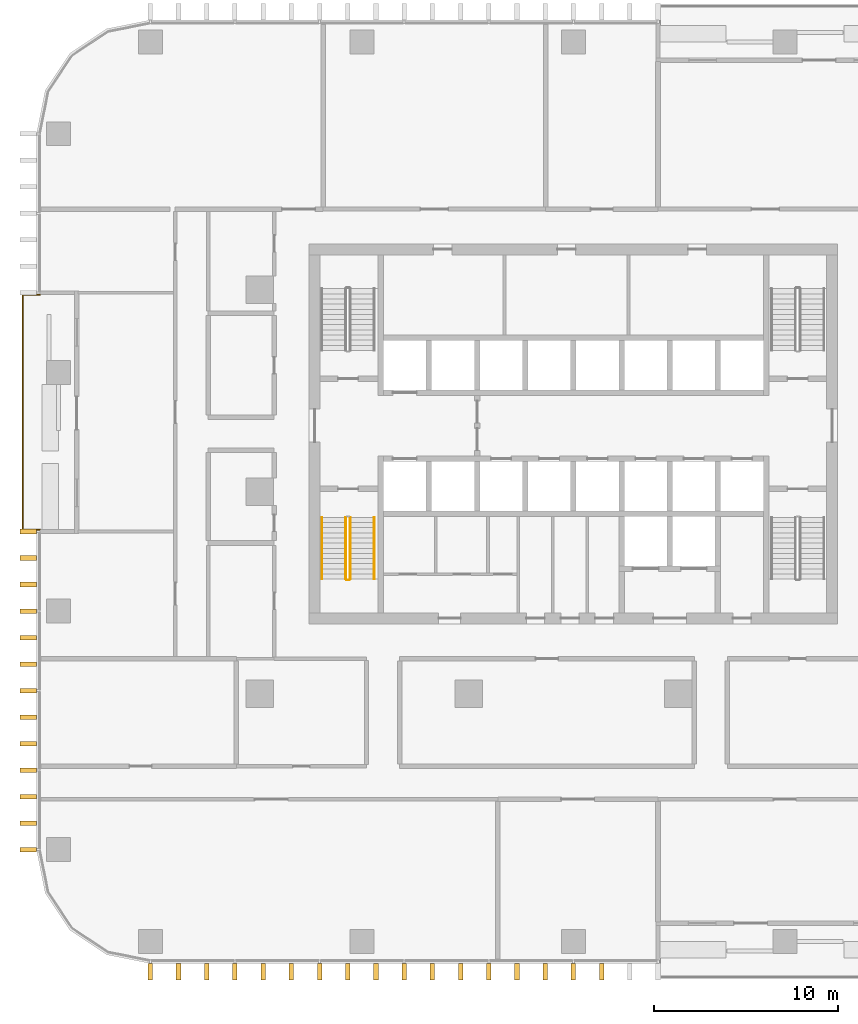
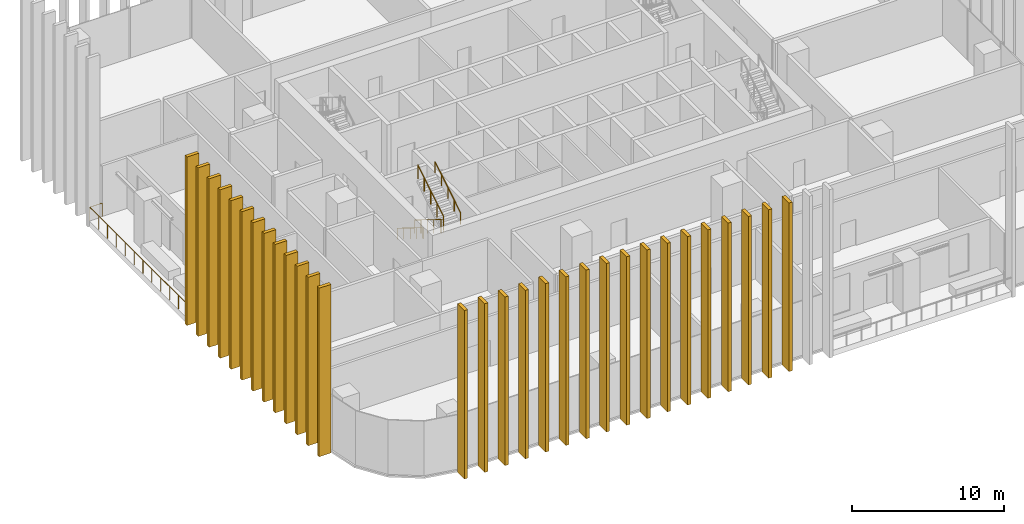
# One storey, part 12 of 17: 30 shading devices, 5 railings.
"""IFC4 building model written with IfcOpenShell, lengths in metres."""

from ifc_helpers import new_model, si_unit, direction, frame, origin, origin_2d, place, context, subcontext, project, spatial, rectangle, circle, extrude, material, type_object, element, save


model = new_model("IFC4")

# Units and contexts
model_context = context("Model", 3, precision=1e-05, world=origin(), true_north=direction((0.0, 1.0)))
body_context = subcontext(model_context, "Body", "Model", "MODEL_VIEW")
ifc_project = project(units=[si_unit("LENGTHUNIT", "METRE"), si_unit("AREAUNIT", "SQUARE_METRE"), si_unit("VOLUMEUNIT", "CUBIC_METRE"), si_unit("PLANEANGLEUNIT", "RADIAN"), si_unit("MASSUNIT", "GRAM", prefix="KILO")], contexts=[model_context])

# Site, building, storey
site_placement = place(None, origin())
site = spatial("IfcSite", under=ifc_project, at=site_placement, CompositionType="ELEMENT")
building_placement = place(site_placement, origin())
building = spatial("IfcBuilding", under=site, at=building_placement, Name="Mopane Tessera Tower", CompositionType="ELEMENT")
storey_placement = place(building_placement, frame((0.0, 0.0, 108.10009765625)))
storey = spatial("IfcBuildingStorey", under=building, at=storey_placement, Name="L21", CompositionType="ELEMENT", Elevation=108.10009765625)

# Shading devices
ifc_material_1 = material(Name="Glazed ceramic tile")
shading_device_type = type_object("IfcShadingDeviceType", Name="Ceramic tile fin 900 x 250 mm", PredefinedType="USERDEFINED", material=ifc_material_1)
for number, where, z_axis, x_axis, name in (
    (1, (-23.050048828125, -26.14990234375, -0.4501953125), (0.0, 0.0, 1.0), (1.0, 0.0, 0.0), "e:fin:L21:S:0:0"),
    (2, (-21.513427734375, -26.14990234375, -0.4501953125), (0.0, 0.0, 1.0), (1.0, 0.0, 0.0), "e:fin:L21:S:0:1"),
    (3, (-19.9765625, -26.14990234375, -0.4501953125), (0.0, 0.0, 1.0), (1.0, 0.0, 0.0), "e:fin:L21:S:0:2"),
    (4, (-18.43994140625, -26.14990234375, -0.4501953125), (0.0, 0.0, 1.0), (1.0, 0.0, 0.0), "e:fin:L21:S:1:0"),
    (5, (-16.9033203125, -26.14990234375, -0.4501953125), (0.0, 0.0, 1.0), (1.0, 0.0, 0.0), "e:fin:L21:S:1:1"),
    (6, (-15.36669921875, -26.14990234375, -0.4501953125), (0.0, 0.0, 1.0), (1.0, 0.0, 0.0), "e:fin:L21:S:1:2"),
    (7, (-13.830078125, -26.14990234375, -0.4501953125), (0.0, 0.0, 1.0), (1.0, 0.0, 0.0), "e:fin:L21:S:2:0"),
    (8, (-12.293212890625, -26.14990234375, -0.4501953125), (0.0, 0.0, 1.0), (1.0, 0.0, 0.0), "e:fin:L21:S:2:1"),
    (9, (-10.756591796875, -26.14990234375, -0.4501953125), (0.0, 0.0, 1.0), (1.0, 0.0, 0.0), "e:fin:L21:S:2:2"),
    (10, (-9.219970703125, -26.14990234375, -0.4501953125), (0.0, 0.0, 1.0), (1.0, 0.0, 0.0), "e:fin:L21:S:3:0"),
    (11, (-7.683349609375, -26.14990234375, -0.4501953125), (0.0, 0.0, 1.0), (1.0, 0.0, 0.0), "e:fin:L21:S:3:1"),
    (12, (-6.146728515625, -26.14990234375, -0.4501953125), (0.0, 0.0, 1.0), (1.0, 0.0, 0.0), "e:fin:L21:S:3:2"),
    (13, (-4.610107421875, -26.14990234375, -0.4501953125), (0.0, 0.0, 1.0), (1.0, 0.0, 0.0), "e:fin:L21:S:4:0"),
    (14, (-3.0732421875, -26.14990234375, -0.4501953125), (0.0, 0.0, 1.0), (1.0, 0.0, 0.0), "e:fin:L21:S:4:1"),
    (15, (-1.53662109375, -26.14990234375, -0.4501953125), (0.0, 0.0, 1.0), (1.0, 0.0, 0.0), "e:fin:L21:S:4:2"),
    (16, (0.0, -26.14990234375, -0.4501953125), (0.0, 0.0, 1.0), (1.0, 0.0, 0.0), "e:fin:L21:S:5:0"),
    (17, (1.53662109375, -26.14990234375, -0.4501953125), (0.0, 0.0, 1.0), (1.0, 0.0, 0.0), "e:fin:L21:S:5:1"),
    (18, (-29.699951171875, -2.166748046875, -0.4501953125), (0.0, 0.0, 1.0), (0.0, -1.0, 0.0), "e:fin:L21:W:5:0"),
    (19, (-29.699951171875, -3.611083984375, -0.4501953125), (0.0, 0.0, 1.0), (0.0, -1.0, 0.0), "e:fin:L21:W:5:1"),
    (20, (-29.699951171875, -5.0556640625, -0.4501953125), (0.0, 0.0, 1.0), (0.0, -1.0, 0.0), "e:fin:L21:W:5:2"),
    (21, (-29.699951171875, -6.5, -0.4501953125), (0.0, 0.0, 1.0), (0.0, -1.0, 0.0), "e:fin:L21:W:6:0"),
    (22, (-29.699951171875, -7.9443359375, -0.4501953125), (0.0, 0.0, 1.0), (0.0, -1.0, 0.0), "e:fin:L21:W:6:1"),
    (23, (-29.699951171875, -9.388916015625, -0.4501953125), (0.0, 0.0, 1.0), (0.0, -1.0, 0.0), "e:fin:L21:W:6:2"),
    (24, (-29.699951171875, -10.833251953125, -0.4501953125), (0.0, 0.0, 1.0), (0.0, -1.0, 0.0), "e:fin:L21:W:7:0"),
    (25, (-29.699951171875, -12.27783203125, -0.4501953125), (0.0, 0.0, 1.0), (0.0, -1.0, 0.0), "e:fin:L21:W:7:1"),
    (26, (-29.699951171875, -13.72216796875, -0.4501953125), (0.0, 0.0, 1.0), (0.0, -1.0, 0.0), "e:fin:L21:W:7:2"),
    (27, (-29.699951171875, -15.166748046875, -0.4501953125), (0.0, 0.0, 1.0), (0.0, -1.0, 0.0), "e:fin:L21:W:8:0"),
    (28, (-29.699951171875, -16.611083984375, -0.4501953125), (0.0, 0.0, 1.0), (0.0, -1.0, 0.0), "e:fin:L21:W:8:1"),
    (29, (-29.699951171875, -18.0556640625, -0.4501953125), (0.0, 0.0, 1.0), (0.0, -1.0, 0.0), "e:fin:L21:W:8:2"),
    (30, (-29.699951171875, -19.5, -0.4501953125), (0.0, 0.0, 1.0), (0.0, -1.0, 0.0), "e:fin:L21:W:8:3"),
):
    element("IfcShadingDevice", number, at=place(storey_placement, frame(where, z_axis=z_axis, x_axis=x_axis)), inside=storey, type_object=shading_device_type, Name=name, ObjectType="FIN", PredefinedType="USERDEFINED", context=body_context, shape_type="SweptSolid", body=[
        extrude(rectangle(XDim=0.25, YDim=0.89990234375, at=origin_2d()), origin(), (0.0, 0.0, 1.0), 13.5),
    ])

# Railings
ifc_material_2 = material(Name="Powder-coated steel balustrade", Category="steel")
railing_type_1 = type_object("IfcRailingType", Name="Escape stair guard 1100 mm", PredefinedType="GUARDRAIL", material=ifc_material_2)
railing_1_placement = place(storey_placement, frame((-12.39990234375, -1.39990234375, 0.173095703125)))
element("IfcRailing", 31, at=railing_1_placement, inside=storey, type_object=railing_type_1, Name="L21 ST1 stair guard 1", PredefinedType="GUARDRAIL", context=body_context, shape_type="SweptSolid", body=[
    extrude(circle(Radius=0.02392578125, at=origin_2d()), frame((0.0, 0.0, 1.076171875), z_axis=(0.0, -0.850623216509, 0.525775754039), x_axis=(1.0, 0.0, 0.0)), (0.0, 0.0, 1.0), 3.9501953125),
    extrude(circle(Radius=0.02392578125, at=origin_2d()), frame((0.0, -3.360107421875, 3.15283203125), z_axis=(0.705375805398, -0.708833529934, 0.0), x_axis=(0.708833529934, 0.705375805398, 0.0)), (0.0, 0.0, 1.0), 0.070556640625),
    extrude(circle(Radius=0.02392578125, at=origin_2d()), frame((0.0498046875, -3.41015625, 3.15283203125), z_axis=(1.0, 0.0, 0.0), x_axis=(0.0, 1.0, 0.0)), (0.0, 0.0, 1.0), 0.150146484375),
    extrude(circle(Radius=0.02099609375, at=origin_2d()), origin(), (0.0, 0.0, 1.0), 1.052001953125),
    extrude(circle(Radius=0.02099609375, at=origin_2d()), frame((0.0, -0.840087890625, 0.519287109375)), (0.0, 0.0, 1.0), 1.052001953125),
    extrude(circle(Radius=0.02099609375, at=origin_2d()), frame((0.0, -1.68017578125, 1.03857421875)), (0.0, 0.0, 1.0), 1.052001953125),
    extrude(circle(Radius=0.02099609375, at=origin_2d()), frame((0.0, -2.52001953125, 1.5576171875)), (0.0, 0.0, 1.0), 1.052001953125),
    extrude(circle(Radius=0.02099609375, at=origin_2d()), frame((0.0, -3.360107421875, 2.076904296875)), (0.0, 0.0, 1.0), 1.052001953125),
    extrude(circle(Radius=0.02099609375, at=origin_2d()), frame((0.0498046875, -3.41015625, 2.076904296875)), (0.0, 0.0, 1.0), 1.052001953125),
    extrude(circle(Radius=0.02099609375, at=origin_2d()), frame((0.199951171875, -3.41015625, 2.076904296875)), (0.0, 0.0, 1.0), 1.052001953125),
])
railing_2_placement = place(storey_placement, frame((-12.14990234375, -4.760009765625, 2.423095703125)))
element("IfcRailing", 32, at=railing_2_placement, inside=storey, type_object=railing_type_1, Name="L21 ST1 stair guard 2", PredefinedType="GUARDRAIL", context=body_context, shape_type="SweptSolid", body=[
    extrude(circle(Radius=0.02392578125, at=origin_2d()), frame((0.0, 0.0, 1.076171875), z_axis=(0.0, 0.850623216509, 0.525775754039), x_axis=(-1.0, 0.0, 0.0)), (0.0, 0.0, 1.0), 3.9501953125),
    extrude(circle(Radius=0.02099609375, at=origin_2d()), origin(), (0.0, 0.0, 1.0), 1.052001953125),
    extrude(circle(Radius=0.02099609375, at=origin_2d()), frame((0.0, 0.840087890625, 0.519287109375)), (0.0, 0.0, 1.0), 1.052001953125),
    extrude(circle(Radius=0.02099609375, at=origin_2d()), frame((0.0, 1.68017578125, 1.03857421875)), (0.0, 0.0, 1.0), 1.052001953125),
    extrude(circle(Radius=0.02099609375, at=origin_2d()), frame((0.0, 2.52001953125, 1.5576171875)), (0.0, 0.0, 1.0), 1.052001953125),
    extrude(circle(Radius=0.02099609375, at=origin_2d()), frame((0.0, 3.360107421875, 2.076904296875)), (0.0, 0.0, 1.0), 1.052001953125),
])
ifc_material_3 = material(Name="Powder-coated steel balustrade", Category="steel")
railing_type_2 = type_object("IfcRailingType", Name="Escape stair handrail 900 mm", PredefinedType="HANDRAIL", material=ifc_material_3)
railing_3_placement = place(storey_placement, frame((-13.699951171875, -1.39990234375, 0.173095703125)))
element("IfcRailing", 33, at=railing_3_placement, inside=storey, type_object=railing_type_2, Name="L21 ST1 stair handrail 1", PredefinedType="HANDRAIL", context=body_context, shape_type="SweptSolid", body=[
    extrude(circle(Radius=0.02392578125, at=origin_2d()), frame((0.0, 0.0, 0.8759765625), z_axis=(0.0, -0.850623216509, 0.525775754039), x_axis=(1.0, 0.0, 0.0)), (0.0, 0.0, 1.0), 3.9501953125),
    extrude(circle(Radius=0.02099609375, at=origin_2d()), origin(), (0.0, 0.0, 1.0), 0.851806640625),
    extrude(circle(Radius=0.02099609375, at=origin_2d()), frame((0.0, -0.840087890625, 0.519287109375)), (0.0, 0.0, 1.0), 0.851806640625),
    extrude(circle(Radius=0.02099609375, at=origin_2d()), frame((0.0, -1.68017578125, 1.03857421875)), (0.0, 0.0, 1.0), 0.851806640625),
    extrude(circle(Radius=0.02099609375, at=origin_2d()), frame((0.0, -2.52001953125, 1.5576171875)), (0.0, 0.0, 1.0), 0.851806640625),
    extrude(circle(Radius=0.02099609375, at=origin_2d()), frame((0.0, -3.360107421875, 2.076904296875)), (0.0, 0.0, 1.0), 0.851806640625),
])
railing_4_placement = place(storey_placement, frame((-10.85009765625, -4.760009765625, 2.423095703125)))
element("IfcRailing", 34, at=railing_4_placement, inside=storey, type_object=railing_type_2, Name="L21 ST1 stair handrail 2", PredefinedType="HANDRAIL", context=body_context, shape_type="SweptSolid", body=[
    extrude(circle(Radius=0.02392578125, at=origin_2d()), frame((0.0, 0.0, 0.8759765625), z_axis=(0.0, 0.850623216509, 0.525775754039), x_axis=(-1.0, 0.0, 0.0)), (0.0, 0.0, 1.0), 3.9501953125),
    extrude(circle(Radius=0.02099609375, at=origin_2d()), origin(), (0.0, 0.0, 1.0), 0.851806640625),
    extrude(circle(Radius=0.02099609375, at=origin_2d()), frame((0.0, 0.840087890625, 0.519287109375)), (0.0, 0.0, 1.0), 0.851806640625),
    extrude(circle(Radius=0.02099609375, at=origin_2d()), frame((0.0, 1.68017578125, 1.03857421875)), (0.0, 0.0, 1.0), 0.851806640625),
    extrude(circle(Radius=0.02099609375, at=origin_2d()), frame((0.0, 2.52001953125, 1.5576171875)), (0.0, 0.0, 1.0), 0.851806640625),
    extrude(circle(Radius=0.02099609375, at=origin_2d()), frame((0.0, 3.360107421875, 2.076904296875)), (0.0, 0.0, 1.0), 0.851806640625),
])
ifc_material_4 = material(Name="Stainless steel S316", Category="steel")
railing_type_3 = type_object("IfcRailingType", Name="Terrace guard 1100", PredefinedType="GUARDRAIL", material=ifc_material_4)
railing_5_placement = place(storey_placement, frame((-29.050048828125, 10.7333984375, 0.0)))
element("IfcRailing", 35, at=railing_5_placement, inside=storey, type_object=railing_type_3, Name="e:nw:L21:N2:guard", PredefinedType="GUARDRAIL", context=body_context, shape_type="SweptSolid", body=[
    extrude(circle(Radius=0.02392578125, at=origin_2d()), frame((0.0, 0.0, 1.076171875), z_axis=(-1.0, 0.0, 0.0), x_axis=(0.0, -1.0, 0.0)), (0.0, 0.0, 1.0), 0.949951171875),
    extrude(circle(Radius=0.02392578125, at=origin_2d()), frame((-0.949951171875, 0.0, 1.076171875), z_axis=(0.0, -1.0, 0.0), x_axis=(1.0, 0.0, 0.0)), (0.0, 0.0, 1.0), 12.800048828125),
    extrude(circle(Radius=0.02392578125, at=origin_2d()), frame((-0.949951171875, -12.800048828125, 1.076171875), z_axis=(1.0, 0.0, 0.0), x_axis=(0.0, 1.0, 0.0)), (0.0, 0.0, 1.0), 0.949951171875),
    extrude(circle(Radius=0.02099609375, at=origin_2d()), origin(), (0.0, 0.0, 1.0), 1.052001953125),
    extrude(circle(Radius=0.02099609375, at=origin_2d()), frame((-0.949951171875, 0.0, 0.0)), (0.0, 0.0, 1.0), 1.052001953125),
    extrude(circle(Radius=0.02099609375, at=origin_2d()), frame((-0.949951171875, -1.16357421875, 0.0)), (0.0, 0.0, 1.0), 1.052001953125),
    extrude(circle(Radius=0.02099609375, at=origin_2d()), frame((-0.949951171875, -2.327392578125, 0.0)), (0.0, 0.0, 1.0), 1.052001953125),
    extrude(circle(Radius=0.02099609375, at=origin_2d()), frame((-0.949951171875, -3.490966796875, 0.0)), (0.0, 0.0, 1.0), 1.052001953125),
    extrude(circle(Radius=0.02099609375, at=origin_2d()), frame((-0.949951171875, -4.654541015625, 0.0)), (0.0, 0.0, 1.0), 1.052001953125),
    extrude(circle(Radius=0.02099609375, at=origin_2d()), frame((-0.949951171875, -5.818115234375, 0.0)), (0.0, 0.0, 1.0), 1.052001953125),
    extrude(circle(Radius=0.02099609375, at=origin_2d()), frame((-0.949951171875, -6.98193359375, 0.0)), (0.0, 0.0, 1.0), 1.052001953125),
    extrude(circle(Radius=0.02099609375, at=origin_2d()), frame((-0.949951171875, -8.1455078125, 0.0)), (0.0, 0.0, 1.0), 1.052001953125),
    extrude(circle(Radius=0.02099609375, at=origin_2d()), frame((-0.949951171875, -9.30908203125, 0.0)), (0.0, 0.0, 1.0), 1.052001953125),
    extrude(circle(Radius=0.02099609375, at=origin_2d()), frame((-0.949951171875, -10.47265625, 0.0)), (0.0, 0.0, 1.0), 1.052001953125),
    extrude(circle(Radius=0.02099609375, at=origin_2d()), frame((-0.949951171875, -11.636474609375, 0.0)), (0.0, 0.0, 1.0), 1.052001953125),
    extrude(circle(Radius=0.02099609375, at=origin_2d()), frame((-0.949951171875, -12.800048828125, 0.0)), (0.0, 0.0, 1.0), 1.052001953125),
    extrude(circle(Radius=0.02099609375, at=origin_2d()), frame((0.0, -12.800048828125, 0.0)), (0.0, 0.0, 1.0), 1.052001953125),
])

save(model, "model.ifc")
